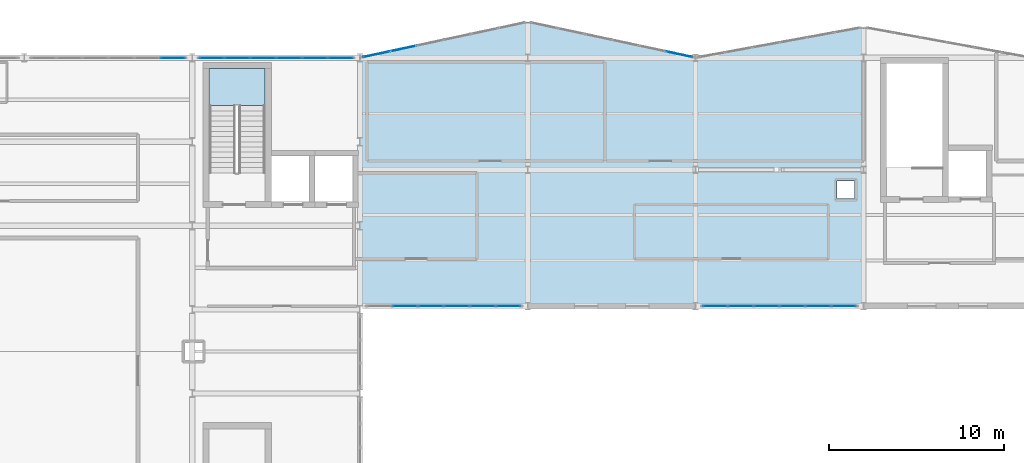
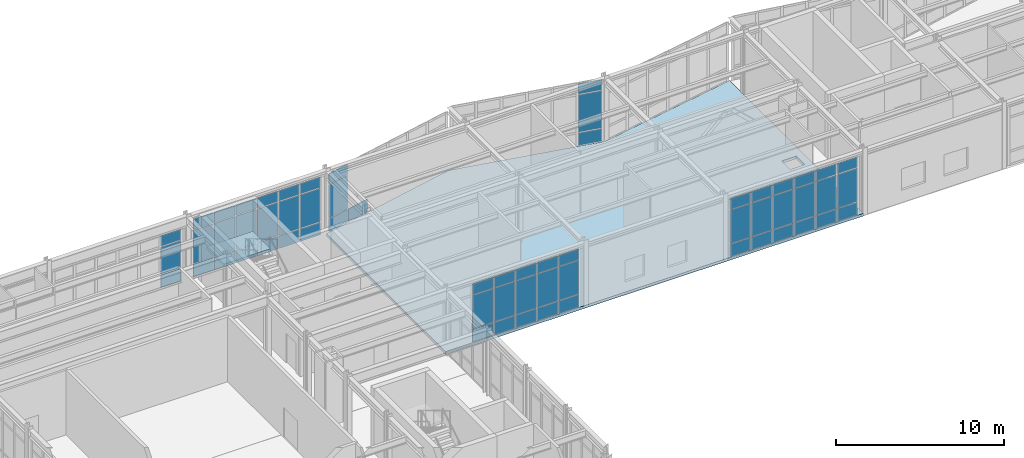
# One storey, part 19 of 28: 61 plates, 2 slabs, 7 elements without a shape of their own.
"""IFC4 building model written with IfcOpenShell, lengths in metres."""

from ifc_helpers import new_model, si_unit, direction, frame, origin, origin_2d, place, context, subcontext, project, spatial, polyline, rectangle, outline, extrude, material, layer, layer_set, type_object, element, aggregate, save


model = new_model("IFC4")

# Units and contexts
model_context = context("Model", 3, precision=1e-05, world=origin(), true_north=direction((0.0, 1.0)))
body_context = subcontext(model_context, "Body", "Model", "MODEL_VIEW")
ifc_project = project(units=[si_unit("LENGTHUNIT", "METRE"), si_unit("AREAUNIT", "SQUARE_METRE"), si_unit("VOLUMEUNIT", "CUBIC_METRE"), si_unit("PLANEANGLEUNIT", "RADIAN"), si_unit("MASSUNIT", "GRAM", prefix="KILO")], contexts=[model_context])

# Site, building, storey
site_placement = place(None, origin())
site = spatial("IfcSite", under=ifc_project, at=site_placement, CompositionType="ELEMENT")
building_placement = place(site_placement, origin())
building = spatial("IfcBuilding", under=site, at=building_placement, Name="Nordkorset Police Headquarters", CompositionType="ELEMENT")
storey_placement = place(building_placement, frame((0.0, 0.0, 26.25)))
storey = spatial("IfcBuildingStorey", under=building, at=storey_placement, Name="L06", CompositionType="ELEMENT", Elevation=26.25)

# Curtain wall, plates
ifc_material_1 = material(Name="Aluminium alloy AW-6060", Category="aluminium")
ifc_layer_1 = layer(ifc_material_1, 0.179931640625, Name="Aluminium alloy AW-6060")
ifc_layer_set_1 = layer_set([ifc_layer_1], Name="Aluminium alloy AW-6060")
curtain_wall_type_1 = type_object("IfcCurtainWallType", Name="CW_Unit_888x389", PredefinedType="USERDEFINED", material=ifc_layer_set_1)
curtain_wall_1_placement = place(storey_placement, origin())
curtain_wall_1 = element("IfcCurtainWall", 1, at=curtain_wall_1_placement, inside=storey, type_object=curtain_wall_type_1, Name="Unitised Curtain Wall L06 V1N-1", ObjectType="UNITISED CURTAIN WALL", PredefinedType="USERDEFINED")
ifc_material_2 = material(Name="Low-iron triple glazing", Category="glass")
ifc_layer_2 = layer(ifc_material_2, 0.035888671875, Name="Low-iron triple glazing")
ifc_layer_set_2 = layer_set([ifc_layer_2], Name="Low-iron triple glazing")
plate_type = type_object("IfcPlateType", Name="CW_Panel_TripleGlazing_36", PredefinedType="CURTAIN_PANEL", material=ifc_layer_set_2)
plate_1_placement = place(storey_placement, frame((18.083740234375, 116.800048828125, 0.06494140625), z_axis=(0.0, 0.0, 1.0), x_axis=(1.0, 0.0, 0.0)))
plate_1 = element("IfcPlate", 2, at=plate_1_placement, type_object=plate_type, Name="CW-76 panel 6.1", PredefinedType="CURTAIN_PANEL", context=body_context, shape_type="SweptSolid", body=[
    extrude(rectangle(XDim=1.382568359375, YDim=0.035888671875, at=origin_2d()), origin(), (0.0, 0.0, 1.0), 0.902587890625),
])
plate_2_placement = place(storey_placement, frame((18.083740234375, 116.800048828125, 1.032470703125), z_axis=(0.0, 0.0, 1.0), x_axis=(1.0, 0.0, 0.0)))
plate_2 = element("IfcPlate", 3, at=plate_2_placement, type_object=plate_type, Name="CW-76 panel 6.2", PredefinedType="CURTAIN_PANEL", context=body_context, shape_type="SweptSolid", body=[
    extrude(rectangle(XDim=1.382568359375, YDim=0.035888671875, at=origin_2d()), origin(), (0.0, 0.0, 1.0), 1.97509765625),
])
plate_3_placement = place(storey_placement, frame((18.083740234375, 116.800048828125, 3.072509765625), z_axis=(0.0, 0.0, 1.0), x_axis=(1.0, 0.0, 0.0)))
plate_3 = element("IfcPlate", 4, at=plate_3_placement, type_object=plate_type, Name="CW-76 panel 6.3", PredefinedType="CURTAIN_PANEL", context=body_context, shape_type="SweptSolid", body=[
    extrude(rectangle(XDim=1.382568359375, YDim=0.035888671875, at=origin_2d()), origin(), (0.0, 0.0, 1.0), 0.75244140625),
])
aggregate(curtain_wall_1, [plate_1, plate_2, plate_3])

ifc_material_3 = material(Name="Aluminium alloy AW-6060", Category="aluminium")
ifc_layer_3 = layer(ifc_material_3, 0.179931640625, Name="Aluminium alloy AW-6060")
ifc_layer_set_3 = layer_set([ifc_layer_3], Name="Aluminium alloy AW-6060")
curtain_wall_type_2 = type_object("IfcCurtainWallType", Name="CW_Unit_888x434", PredefinedType="USERDEFINED", material=ifc_layer_set_3)
curtain_wall_2_placement = place(storey_placement, origin())
curtain_wall_2 = element("IfcCurtainWall", 5, at=curtain_wall_2_placement, inside=storey, type_object=curtain_wall_type_2, Name="Unitised Curtain Wall L06 V1N-2", ObjectType="UNITISED CURTAIN WALL", PredefinedType="USERDEFINED")
plate_4_placement = place(storey_placement, frame((20.316162109375, 116.800048828125, 0.06494140625), z_axis=(0.0, 0.0, 1.0), x_axis=(1.0, 0.0, 0.0)))
plate_4 = element("IfcPlate", 6, at=plate_4_placement, type_object=plate_type, Name="CW-74 panel 1.1", PredefinedType="CURTAIN_PANEL", context=body_context, shape_type="SweptSolid", body=[
    extrude(rectangle(XDim=1.382568359375, YDim=0.035888671875, at=origin_2d()), origin(), (0.0, 0.0, 1.0), 0.902587890625),
])
plate_5_placement = place(storey_placement, frame((20.316162109375, 116.800048828125, 1.032470703125), z_axis=(0.0, 0.0, 1.0), x_axis=(1.0, 0.0, 0.0)))
plate_5 = element("IfcPlate", 7, at=plate_5_placement, type_object=plate_type, Name="CW-74 panel 1.2", PredefinedType="CURTAIN_PANEL", context=body_context, shape_type="SweptSolid", body=[
    extrude(rectangle(XDim=1.382568359375, YDim=0.035888671875, at=origin_2d()), origin(), (0.0, 0.0, 1.0), 2.419921875),
])
plate_6_placement = place(storey_placement, frame((20.316162109375, 116.800048828125, 3.517578125), z_axis=(0.0, 0.0, 1.0), x_axis=(1.0, 0.0, 0.0)))
plate_6 = element("IfcPlate", 8, at=plate_6_placement, type_object=plate_type, Name="CW-74 panel 1.3", PredefinedType="CURTAIN_PANEL", context=body_context, shape_type="SweptSolid", body=[
    extrude(rectangle(XDim=1.382568359375, YDim=0.035888671875, at=origin_2d()), origin(), (0.0, 0.0, 1.0), 0.75244140625),
])
plate_7_placement = place(storey_placement, frame((21.780029296875, 116.800048828125, 0.06494140625), z_axis=(0.0, 0.0, 1.0), x_axis=(1.0, 0.0, 0.0)))
plate_7 = element("IfcPlate", 9, at=plate_7_placement, type_object=plate_type, Name="CW-74 panel 2.1", PredefinedType="CURTAIN_PANEL", context=body_context, shape_type="SweptSolid", body=[
    extrude(rectangle(XDim=1.4150390625, YDim=0.035888671875, at=origin_2d()), origin(), (0.0, 0.0, 1.0), 0.902587890625),
])
plate_8_placement = place(storey_placement, frame((21.780029296875, 116.800048828125, 1.032470703125), z_axis=(0.0, 0.0, 1.0), x_axis=(1.0, 0.0, 0.0)))
plate_8 = element("IfcPlate", 10, at=plate_8_placement, type_object=plate_type, Name="CW-74 panel 2.2", PredefinedType="CURTAIN_PANEL", context=body_context, shape_type="SweptSolid", body=[
    extrude(rectangle(XDim=1.4150390625, YDim=0.035888671875, at=origin_2d()), origin(), (0.0, 0.0, 1.0), 2.419921875),
])
plate_9_placement = place(storey_placement, frame((21.780029296875, 116.800048828125, 3.517578125), z_axis=(0.0, 0.0, 1.0), x_axis=(1.0, 0.0, 0.0)))
plate_9 = element("IfcPlate", 11, at=plate_9_placement, type_object=plate_type, Name="CW-74 panel 2.3", PredefinedType="CURTAIN_PANEL", context=body_context, shape_type="SweptSolid", body=[
    extrude(rectangle(XDim=1.4150390625, YDim=0.035888671875, at=origin_2d()), origin(), (0.0, 0.0, 1.0), 0.75244140625),
])
plate_10_placement = place(storey_placement, frame((23.260009765625, 116.800048828125, 0.06494140625), z_axis=(0.0, 0.0, 1.0), x_axis=(1.0, 0.0, 0.0)))
plate_10 = element("IfcPlate", 12, at=plate_10_placement, type_object=plate_type, Name="CW-74 panel 3.1", PredefinedType="CURTAIN_PANEL", context=body_context, shape_type="SweptSolid", body=[
    extrude(rectangle(XDim=1.4150390625, YDim=0.035888671875, at=origin_2d()), origin(), (0.0, 0.0, 1.0), 0.902587890625),
])
plate_11_placement = place(storey_placement, frame((23.260009765625, 116.800048828125, 1.032470703125), z_axis=(0.0, 0.0, 1.0), x_axis=(1.0, 0.0, 0.0)))
plate_11 = element("IfcPlate", 13, at=plate_11_placement, type_object=plate_type, Name="CW-74 panel 3.2", PredefinedType="CURTAIN_PANEL", context=body_context, shape_type="SweptSolid", body=[
    extrude(rectangle(XDim=1.4150390625, YDim=0.035888671875, at=origin_2d()), origin(), (0.0, 0.0, 1.0), 2.419921875),
])
plate_12_placement = place(storey_placement, frame((23.260009765625, 116.800048828125, 3.517578125), z_axis=(0.0, 0.0, 1.0), x_axis=(1.0, 0.0, 0.0)))
plate_12 = element("IfcPlate", 14, at=plate_12_placement, type_object=plate_type, Name="CW-74 panel 3.3", PredefinedType="CURTAIN_PANEL", context=body_context, shape_type="SweptSolid", body=[
    extrude(rectangle(XDim=1.4150390625, YDim=0.035888671875, at=origin_2d()), origin(), (0.0, 0.0, 1.0), 0.75244140625),
])
plate_13_placement = place(storey_placement, frame((24.739990234375, 116.800048828125, 0.06494140625), z_axis=(0.0, 0.0, 1.0), x_axis=(1.0, 0.0, 0.0)))
plate_13 = element("IfcPlate", 15, at=plate_13_placement, type_object=plate_type, Name="CW-74 panel 4.1", PredefinedType="CURTAIN_PANEL", context=body_context, shape_type="SweptSolid", body=[
    extrude(rectangle(XDim=1.4150390625, YDim=0.035888671875, at=origin_2d()), origin(), (0.0, 0.0, 1.0), 0.902587890625),
])
plate_14_placement = place(storey_placement, frame((24.739990234375, 116.800048828125, 1.032470703125), z_axis=(0.0, 0.0, 1.0), x_axis=(1.0, 0.0, 0.0)))
plate_14 = element("IfcPlate", 16, at=plate_14_placement, type_object=plate_type, Name="CW-74 panel 4.2", PredefinedType="CURTAIN_PANEL", context=body_context, shape_type="SweptSolid", body=[
    extrude(rectangle(XDim=1.4150390625, YDim=0.035888671875, at=origin_2d()), origin(), (0.0, 0.0, 1.0), 2.419921875),
])
plate_15_placement = place(storey_placement, frame((24.739990234375, 116.800048828125, 3.517578125), z_axis=(0.0, 0.0, 1.0), x_axis=(1.0, 0.0, 0.0)))
plate_15 = element("IfcPlate", 17, at=plate_15_placement, type_object=plate_type, Name="CW-74 panel 4.3", PredefinedType="CURTAIN_PANEL", context=body_context, shape_type="SweptSolid", body=[
    extrude(rectangle(XDim=1.4150390625, YDim=0.035888671875, at=origin_2d()), origin(), (0.0, 0.0, 1.0), 0.75244140625),
])
plate_16_placement = place(storey_placement, frame((26.219970703125, 116.800048828125, 0.06494140625), z_axis=(0.0, 0.0, 1.0), x_axis=(1.0, 0.0, 0.0)))
plate_16 = element("IfcPlate", 18, at=plate_16_placement, type_object=plate_type, Name="CW-74 panel 5.1", PredefinedType="CURTAIN_PANEL", context=body_context, shape_type="SweptSolid", body=[
    extrude(rectangle(XDim=1.4150390625, YDim=0.035888671875, at=origin_2d()), origin(), (0.0, 0.0, 1.0), 0.902587890625),
])
plate_17_placement = place(storey_placement, frame((26.219970703125, 116.800048828125, 1.032470703125), z_axis=(0.0, 0.0, 1.0), x_axis=(1.0, 0.0, 0.0)))
plate_17 = element("IfcPlate", 19, at=plate_17_placement, type_object=plate_type, Name="CW-74 panel 5.2", PredefinedType="CURTAIN_PANEL", context=body_context, shape_type="SweptSolid", body=[
    extrude(rectangle(XDim=1.4150390625, YDim=0.035888671875, at=origin_2d()), origin(), (0.0, 0.0, 1.0), 2.419921875),
])
plate_18_placement = place(storey_placement, frame((26.219970703125, 116.800048828125, 3.517578125), z_axis=(0.0, 0.0, 1.0), x_axis=(1.0, 0.0, 0.0)))
plate_18 = element("IfcPlate", 20, at=plate_18_placement, type_object=plate_type, Name="CW-74 panel 5.3", PredefinedType="CURTAIN_PANEL", context=body_context, shape_type="SweptSolid", body=[
    extrude(rectangle(XDim=1.4150390625, YDim=0.035888671875, at=origin_2d()), origin(), (0.0, 0.0, 1.0), 0.75244140625),
])
plate_19_placement = place(storey_placement, frame((27.683837890625, 116.800048828125, 0.06494140625), z_axis=(0.0, 0.0, 1.0), x_axis=(1.0, 0.0, 0.0)))
plate_19 = element("IfcPlate", 21, at=plate_19_placement, type_object=plate_type, Name="CW-74 panel 6.1", PredefinedType="CURTAIN_PANEL", context=body_context, shape_type="SweptSolid", body=[
    extrude(rectangle(XDim=1.382568359375, YDim=0.035888671875, at=origin_2d()), origin(), (0.0, 0.0, 1.0), 0.902587890625),
])
plate_20_placement = place(storey_placement, frame((27.683837890625, 116.800048828125, 1.032470703125), z_axis=(0.0, 0.0, 1.0), x_axis=(1.0, 0.0, 0.0)))
plate_20 = element("IfcPlate", 22, at=plate_20_placement, type_object=plate_type, Name="CW-74 panel 6.2", PredefinedType="CURTAIN_PANEL", context=body_context, shape_type="SweptSolid", body=[
    extrude(rectangle(XDim=1.382568359375, YDim=0.035888671875, at=origin_2d()), origin(), (0.0, 0.0, 1.0), 2.419921875),
])
plate_21_placement = place(storey_placement, frame((27.683837890625, 116.800048828125, 3.517578125), z_axis=(0.0, 0.0, 1.0), x_axis=(1.0, 0.0, 0.0)))
plate_21 = element("IfcPlate", 23, at=plate_21_placement, type_object=plate_type, Name="CW-74 panel 6.3", PredefinedType="CURTAIN_PANEL", context=body_context, shape_type="SweptSolid", body=[
    extrude(rectangle(XDim=1.382568359375, YDim=0.035888671875, at=origin_2d()), origin(), (0.0, 0.0, 1.0), 0.75244140625),
])
aggregate(curtain_wall_2, [plate_4, plate_5, plate_6, plate_7, plate_8, plate_9, plate_10, plate_11, plate_12, plate_13, plate_14, plate_15, plate_16, plate_17, plate_18, plate_19, plate_20, plate_21])

ifc_material_4 = material(Name="Aluminium alloy AW-6060", Category="aluminium")
ifc_layer_4 = layer(ifc_material_4, 0.179931640625, Name="Aluminium alloy AW-6060")
ifc_layer_set_4 = layer_set([ifc_layer_4], Name="Aluminium alloy AW-6060")
curtain_wall_type_3 = type_object("IfcCurtainWallType", Name="CW_Unit_954x434", PredefinedType="USERDEFINED", material=ifc_layer_set_4)
curtain_wall_3_placement = place(storey_placement, origin())
curtain_wall_3 = element("IfcCurtainWall", 24, at=curtain_wall_3_placement, inside=storey, type_object=curtain_wall_type_3, Name="Unitised Curtain Wall L06 V2N-0", ObjectType="UNITISED CURTAIN WALL", PredefinedType="USERDEFINED")
plate_22_placement = place(storey_placement, frame((29.72998046875, 116.99853515625, 0.06494140625), z_axis=(0.0, 0.0, 1.0), x_axis=(0.977951416289, 0.208832534289, 0.0)))
plate_22 = element("IfcPlate", 25, at=plate_22_placement, type_object=plate_type, Name="CW-77 panel 1.1", PredefinedType="CURTAIN_PANEL", context=body_context, shape_type="SweptSolid", body=[
    extrude(rectangle(XDim=1.491943359375, YDim=0.035888671875, at=origin_2d()), origin(), (0.0, 0.0, 1.0), 0.902587890625),
])
plate_23_placement = place(storey_placement, frame((29.72998046875, 116.99853515625, 1.032470703125), z_axis=(0.0, 0.0, 1.0), x_axis=(0.977951416289, 0.208832534289, 0.0)))
plate_23 = element("IfcPlate", 26, at=plate_23_placement, type_object=plate_type, Name="CW-77 panel 1.2", PredefinedType="CURTAIN_PANEL", context=body_context, shape_type="SweptSolid", body=[
    extrude(rectangle(XDim=1.491943359375, YDim=0.035888671875, at=origin_2d()), origin(), (0.0, 0.0, 1.0), 2.419921875),
])
plate_24_placement = place(storey_placement, frame((29.72998046875, 116.99853515625, 3.517578125), z_axis=(0.0, 0.0, 1.0), x_axis=(0.977951416289, 0.208832534289, 0.0)))
plate_24 = element("IfcPlate", 27, at=plate_24_placement, type_object=plate_type, Name="CW-77 panel 1.3", PredefinedType="CURTAIN_PANEL", context=body_context, shape_type="SweptSolid", body=[
    extrude(rectangle(XDim=1.491943359375, YDim=0.035888671875, at=origin_2d()), origin(), (0.0, 0.0, 1.0), 0.75244140625),
])
plate_25_placement = place(storey_placement, frame((31.2685546875, 117.3271484375, 0.06494140625), z_axis=(0.0, 0.0, 1.0), x_axis=(0.977951416289, 0.208832534289, 0.0)))
plate_25 = element("IfcPlate", 28, at=plate_25_placement, type_object=plate_type, Name="CW-77 panel 2.1", PredefinedType="CURTAIN_PANEL", context=body_context, shape_type="SweptSolid", body=[
    extrude(rectangle(XDim=1.5244140625, YDim=0.035888671875, at=origin_2d()), origin(), (0.0, 0.0, 1.0), 0.902587890625),
])
aggregate(curtain_wall_3, [plate_22, plate_23, plate_24, plate_25])

curtain_wall_4_placement = place(storey_placement, origin())
curtain_wall_4 = element("IfcCurtainWall", 29, at=curtain_wall_4_placement, inside=storey, type_object=curtain_wall_type_2, Name="Unitised Curtain Wall L06 V2S-0", ObjectType="UNITISED CURTAIN WALL", PredefinedType="USERDEFINED")
plate_26_placement = place(storey_placement, frame((31.3798828125, 102.60009765625, 0.06494140625), z_axis=(0.0, 0.0, 1.0), x_axis=(1.0, 0.0, 0.0)))
plate_26 = element("IfcPlate", 30, at=plate_26_placement, type_object=plate_type, Name="CW-74 panel 2.1", PredefinedType="CURTAIN_PANEL", context=body_context, shape_type="SweptSolid", body=[
    extrude(rectangle(XDim=1.4150390625, YDim=0.035888671875, at=origin_2d()), origin(), (0.0, 0.0, 1.0), 0.902587890625),
])
plate_27_placement = place(storey_placement, frame((31.3798828125, 102.60009765625, 1.032470703125), z_axis=(0.0, 0.0, 1.0), x_axis=(1.0, 0.0, 0.0)))
plate_27 = element("IfcPlate", 31, at=plate_27_placement, type_object=plate_type, Name="CW-74 panel 2.2", PredefinedType="CURTAIN_PANEL", context=body_context, shape_type="SweptSolid", body=[
    extrude(rectangle(XDim=1.4150390625, YDim=0.035888671875, at=origin_2d()), origin(), (0.0, 0.0, 1.0), 2.419921875),
])
plate_28_placement = place(storey_placement, frame((31.3798828125, 102.60009765625, 3.517578125), z_axis=(0.0, 0.0, 1.0), x_axis=(1.0, 0.0, 0.0)))
plate_28 = element("IfcPlate", 32, at=plate_28_placement, type_object=plate_type, Name="CW-74 panel 2.3", PredefinedType="CURTAIN_PANEL", context=body_context, shape_type="SweptSolid", body=[
    extrude(rectangle(XDim=1.4150390625, YDim=0.035888671875, at=origin_2d()), origin(), (0.0, 0.0, 1.0), 0.75244140625),
])
plate_29_placement = place(storey_placement, frame((32.860107421875, 102.60009765625, 0.06494140625), z_axis=(0.0, 0.0, 1.0), x_axis=(1.0, 0.0, 0.0)))
plate_29 = element("IfcPlate", 33, at=plate_29_placement, type_object=plate_type, Name="CW-74 panel 3.1", PredefinedType="CURTAIN_PANEL", context=body_context, shape_type="SweptSolid", body=[
    extrude(rectangle(XDim=1.4150390625, YDim=0.035888671875, at=origin_2d()), origin(), (0.0, 0.0, 1.0), 0.902587890625),
])
plate_30_placement = place(storey_placement, frame((32.860107421875, 102.60009765625, 1.032470703125), z_axis=(0.0, 0.0, 1.0), x_axis=(1.0, 0.0, 0.0)))
plate_30 = element("IfcPlate", 34, at=plate_30_placement, type_object=plate_type, Name="CW-74 panel 3.2", PredefinedType="CURTAIN_PANEL", context=body_context, shape_type="SweptSolid", body=[
    extrude(rectangle(XDim=1.4150390625, YDim=0.035888671875, at=origin_2d()), origin(), (0.0, 0.0, 1.0), 2.419921875),
])
plate_31_placement = place(storey_placement, frame((32.860107421875, 102.60009765625, 3.517578125), z_axis=(0.0, 0.0, 1.0), x_axis=(1.0, 0.0, 0.0)))
plate_31 = element("IfcPlate", 35, at=plate_31_placement, type_object=plate_type, Name="CW-74 panel 3.3", PredefinedType="CURTAIN_PANEL", context=body_context, shape_type="SweptSolid", body=[
    extrude(rectangle(XDim=1.4150390625, YDim=0.035888671875, at=origin_2d()), origin(), (0.0, 0.0, 1.0), 0.75244140625),
])
plate_32_placement = place(storey_placement, frame((34.340087890625, 102.60009765625, 0.06494140625), z_axis=(0.0, 0.0, 1.0), x_axis=(1.0, 0.0, 0.0)))
plate_32 = element("IfcPlate", 36, at=plate_32_placement, type_object=plate_type, Name="CW-74 panel 4.1", PredefinedType="CURTAIN_PANEL", context=body_context, shape_type="SweptSolid", body=[
    extrude(rectangle(XDim=1.4150390625, YDim=0.035888671875, at=origin_2d()), origin(), (0.0, 0.0, 1.0), 0.902587890625),
])
plate_33_placement = place(storey_placement, frame((34.340087890625, 102.60009765625, 1.032470703125), z_axis=(0.0, 0.0, 1.0), x_axis=(1.0, 0.0, 0.0)))
plate_33 = element("IfcPlate", 37, at=plate_33_placement, type_object=plate_type, Name="CW-74 panel 4.2", PredefinedType="CURTAIN_PANEL", context=body_context, shape_type="SweptSolid", body=[
    extrude(rectangle(XDim=1.4150390625, YDim=0.035888671875, at=origin_2d()), origin(), (0.0, 0.0, 1.0), 2.419921875),
])
plate_34_placement = place(storey_placement, frame((34.340087890625, 102.60009765625, 3.517578125), z_axis=(0.0, 0.0, 1.0), x_axis=(1.0, 0.0, 0.0)))
plate_34 = element("IfcPlate", 38, at=plate_34_placement, type_object=plate_type, Name="CW-74 panel 4.3", PredefinedType="CURTAIN_PANEL", context=body_context, shape_type="SweptSolid", body=[
    extrude(rectangle(XDim=1.4150390625, YDim=0.035888671875, at=origin_2d()), origin(), (0.0, 0.0, 1.0), 0.75244140625),
])
plate_35_placement = place(storey_placement, frame((35.820068359375, 102.60009765625, 0.06494140625), z_axis=(0.0, 0.0, 1.0), x_axis=(1.0, 0.0, 0.0)))
plate_35 = element("IfcPlate", 39, at=plate_35_placement, type_object=plate_type, Name="CW-74 panel 5.1", PredefinedType="CURTAIN_PANEL", context=body_context, shape_type="SweptSolid", body=[
    extrude(rectangle(XDim=1.4150390625, YDim=0.035888671875, at=origin_2d()), origin(), (0.0, 0.0, 1.0), 0.902587890625),
])
plate_36_placement = place(storey_placement, frame((35.820068359375, 102.60009765625, 1.032470703125), z_axis=(0.0, 0.0, 1.0), x_axis=(1.0, 0.0, 0.0)))
plate_36 = element("IfcPlate", 40, at=plate_36_placement, type_object=plate_type, Name="CW-74 panel 5.2", PredefinedType="CURTAIN_PANEL", context=body_context, shape_type="SweptSolid", body=[
    extrude(rectangle(XDim=1.4150390625, YDim=0.035888671875, at=origin_2d()), origin(), (0.0, 0.0, 1.0), 2.419921875),
])
plate_37_placement = place(storey_placement, frame((35.820068359375, 102.60009765625, 3.517578125), z_axis=(0.0, 0.0, 1.0), x_axis=(1.0, 0.0, 0.0)))
plate_37 = element("IfcPlate", 41, at=plate_37_placement, type_object=plate_type, Name="CW-74 panel 5.3", PredefinedType="CURTAIN_PANEL", context=body_context, shape_type="SweptSolid", body=[
    extrude(rectangle(XDim=1.4150390625, YDim=0.035888671875, at=origin_2d()), origin(), (0.0, 0.0, 1.0), 0.75244140625),
])
plate_38_placement = place(storey_placement, frame((37.28369140625, 102.60009765625, 0.06494140625), z_axis=(0.0, 0.0, 1.0), x_axis=(1.0, 0.0, 0.0)))
plate_38 = element("IfcPlate", 42, at=plate_38_placement, type_object=plate_type, Name="CW-74 panel 6.1", PredefinedType="CURTAIN_PANEL", context=body_context, shape_type="SweptSolid", body=[
    extrude(rectangle(XDim=1.382568359375, YDim=0.035888671875, at=origin_2d()), origin(), (0.0, 0.0, 1.0), 0.902587890625),
])
plate_39_placement = place(storey_placement, frame((37.28369140625, 102.60009765625, 1.032470703125), z_axis=(0.0, 0.0, 1.0), x_axis=(1.0, 0.0, 0.0)))
plate_39 = element("IfcPlate", 43, at=plate_39_placement, type_object=plate_type, Name="CW-74 panel 6.2", PredefinedType="CURTAIN_PANEL", context=body_context, shape_type="SweptSolid", body=[
    extrude(rectangle(XDim=1.382568359375, YDim=0.035888671875, at=origin_2d()), origin(), (0.0, 0.0, 1.0), 2.419921875),
])
plate_40_placement = place(storey_placement, frame((37.28369140625, 102.60009765625, 3.517578125), z_axis=(0.0, 0.0, 1.0), x_axis=(1.0, 0.0, 0.0)))
plate_40 = element("IfcPlate", 44, at=plate_40_placement, type_object=plate_type, Name="CW-74 panel 6.3", PredefinedType="CURTAIN_PANEL", context=body_context, shape_type="SweptSolid", body=[
    extrude(rectangle(XDim=1.382568359375, YDim=0.035888671875, at=origin_2d()), origin(), (0.0, 0.0, 1.0), 0.75244140625),
])
aggregate(curtain_wall_4, [plate_26, plate_27, plate_28, plate_29, plate_30, plate_31, plate_32, plate_33, plate_34, plate_35, plate_36, plate_37, plate_38, plate_39, plate_40])

ifc_material_5 = material(Name="Aluminium alloy AW-6060", Category="aluminium")
ifc_layer_5 = layer(ifc_material_5, 0.179931640625, Name="Aluminium alloy AW-6060")
ifc_layer_set_5 = layer_set([ifc_layer_5], Name="Aluminium alloy AW-6060")
curtain_wall_type_4 = type_object("IfcCurtainWallType", Name="CW_Unit_954x462", PredefinedType="USERDEFINED", material=ifc_layer_set_5)
curtain_wall_5_placement = place(storey_placement, origin())
curtain_wall_5 = element("IfcCurtainWall", 45, at=curtain_wall_5_placement, inside=storey, type_object=curtain_wall_type_4, Name="Unitised Curtain Wall L06 V2N-1", ObjectType="UNITISED CURTAIN WALL", PredefinedType="USERDEFINED")
plate_41_placement = place(storey_placement, frame((47.070068359375, 116.99853515625, 0.06494140625), z_axis=(0.0, 0.0, 1.0), x_axis=(0.977951416289, -0.208832534289, 0.0)))
plate_41 = element("IfcPlate", 46, at=plate_41_placement, type_object=plate_type, Name="CW-88 panel 6.1", PredefinedType="CURTAIN_PANEL", context=body_context, shape_type="SweptSolid", body=[
    extrude(rectangle(XDim=1.491943359375, YDim=0.035888671875, at=origin_2d()), origin(), (0.0, 0.0, 1.0), 0.902587890625),
])
plate_42_placement = place(storey_placement, frame((47.070068359375, 116.99853515625, 1.032470703125), z_axis=(0.0, 0.0, 1.0), x_axis=(0.977951416289, -0.208832534289, 0.0)))
plate_42 = element("IfcPlate", 47, at=plate_42_placement, type_object=plate_type, Name="CW-88 panel 6.2", PredefinedType="CURTAIN_PANEL", context=body_context, shape_type="SweptSolid", body=[
    extrude(rectangle(XDim=1.491943359375, YDim=0.035888671875, at=origin_2d()), origin(), (0.0, 0.0, 1.0), 2.705078125),
])
plate_43_placement = place(storey_placement, frame((47.070068359375, 116.99853515625, 3.802490234375), z_axis=(0.0, 0.0, 1.0), x_axis=(0.977951416289, -0.208832534289, 0.0)))
plate_43 = element("IfcPlate", 48, at=plate_43_placement, type_object=plate_type, Name="CW-88 panel 6.3", PredefinedType="CURTAIN_PANEL", context=body_context, shape_type="SweptSolid", body=[
    extrude(rectangle(XDim=1.491943359375, YDim=0.035888671875, at=origin_2d()), origin(), (0.0, 0.0, 1.0), 0.75244140625),
])
aggregate(curtain_wall_5, [plate_41, plate_42, plate_43])

curtain_wall_6_placement = place(storey_placement, origin())
curtain_wall_6 = element("IfcCurtainWall", 49, at=curtain_wall_6_placement, inside=storey, type_object=curtain_wall_type_2, Name="Unitised Curtain Wall L06 V2S-2", ObjectType="UNITISED CURTAIN WALL", PredefinedType="USERDEFINED")
plate_44_placement = place(storey_placement, frame((49.1162109375, 102.60009765625, 0.06494140625), z_axis=(0.0, 0.0, 1.0), x_axis=(1.0, 0.0, 0.0)))
plate_44 = element("IfcPlate", 50, at=plate_44_placement, type_object=plate_type, Name="CW-74 panel 1.1", PredefinedType="CURTAIN_PANEL", context=body_context, shape_type="SweptSolid", body=[
    extrude(rectangle(XDim=1.382568359375, YDim=0.035888671875, at=origin_2d()), origin(), (0.0, 0.0, 1.0), 0.902587890625),
])
plate_45_placement = place(storey_placement, frame((49.1162109375, 102.60009765625, 1.032470703125), z_axis=(0.0, 0.0, 1.0), x_axis=(1.0, 0.0, 0.0)))
plate_45 = element("IfcPlate", 51, at=plate_45_placement, type_object=plate_type, Name="CW-74 panel 1.2", PredefinedType="CURTAIN_PANEL", context=body_context, shape_type="SweptSolid", body=[
    extrude(rectangle(XDim=1.382568359375, YDim=0.035888671875, at=origin_2d()), origin(), (0.0, 0.0, 1.0), 2.419921875),
])
plate_46_placement = place(storey_placement, frame((49.1162109375, 102.60009765625, 3.517578125), z_axis=(0.0, 0.0, 1.0), x_axis=(1.0, 0.0, 0.0)))
plate_46 = element("IfcPlate", 52, at=plate_46_placement, type_object=plate_type, Name="CW-74 panel 1.3", PredefinedType="CURTAIN_PANEL", context=body_context, shape_type="SweptSolid", body=[
    extrude(rectangle(XDim=1.382568359375, YDim=0.035888671875, at=origin_2d()), origin(), (0.0, 0.0, 1.0), 0.75244140625),
])
plate_47_placement = place(storey_placement, frame((50.580078125, 102.60009765625, 0.06494140625), z_axis=(0.0, 0.0, 1.0), x_axis=(1.0, 0.0, 0.0)))
plate_47 = element("IfcPlate", 53, at=plate_47_placement, type_object=plate_type, Name="CW-74 panel 2.1", PredefinedType="CURTAIN_PANEL", context=body_context, shape_type="SweptSolid", body=[
    extrude(rectangle(XDim=1.4150390625, YDim=0.035888671875, at=origin_2d()), origin(), (0.0, 0.0, 1.0), 0.902587890625),
])
plate_48_placement = place(storey_placement, frame((50.580078125, 102.60009765625, 1.032470703125), z_axis=(0.0, 0.0, 1.0), x_axis=(1.0, 0.0, 0.0)))
plate_48 = element("IfcPlate", 54, at=plate_48_placement, type_object=plate_type, Name="CW-74 panel 2.2", PredefinedType="CURTAIN_PANEL", context=body_context, shape_type="SweptSolid", body=[
    extrude(rectangle(XDim=1.4150390625, YDim=0.035888671875, at=origin_2d()), origin(), (0.0, 0.0, 1.0), 2.419921875),
])
plate_49_placement = place(storey_placement, frame((50.580078125, 102.60009765625, 3.517578125), z_axis=(0.0, 0.0, 1.0), x_axis=(1.0, 0.0, 0.0)))
plate_49 = element("IfcPlate", 55, at=plate_49_placement, type_object=plate_type, Name="CW-74 panel 2.3", PredefinedType="CURTAIN_PANEL", context=body_context, shape_type="SweptSolid", body=[
    extrude(rectangle(XDim=1.4150390625, YDim=0.035888671875, at=origin_2d()), origin(), (0.0, 0.0, 1.0), 0.75244140625),
])
plate_50_placement = place(storey_placement, frame((52.06005859375, 102.60009765625, 0.06494140625), z_axis=(0.0, 0.0, 1.0), x_axis=(1.0, 0.0, 0.0)))
plate_50 = element("IfcPlate", 56, at=plate_50_placement, type_object=plate_type, Name="CW-74 panel 3.1", PredefinedType="CURTAIN_PANEL", context=body_context, shape_type="SweptSolid", body=[
    extrude(rectangle(XDim=1.4150390625, YDim=0.035888671875, at=origin_2d()), origin(), (0.0, 0.0, 1.0), 0.902587890625),
])
plate_51_placement = place(storey_placement, frame((52.06005859375, 102.60009765625, 1.032470703125), z_axis=(0.0, 0.0, 1.0), x_axis=(1.0, 0.0, 0.0)))
plate_51 = element("IfcPlate", 57, at=plate_51_placement, type_object=plate_type, Name="CW-74 panel 3.2", PredefinedType="CURTAIN_PANEL", context=body_context, shape_type="SweptSolid", body=[
    extrude(rectangle(XDim=1.4150390625, YDim=0.035888671875, at=origin_2d()), origin(), (0.0, 0.0, 1.0), 2.419921875),
])
plate_52_placement = place(storey_placement, frame((52.06005859375, 102.60009765625, 3.517578125), z_axis=(0.0, 0.0, 1.0), x_axis=(1.0, 0.0, 0.0)))
plate_52 = element("IfcPlate", 58, at=plate_52_placement, type_object=plate_type, Name="CW-74 panel 3.3", PredefinedType="CURTAIN_PANEL", context=body_context, shape_type="SweptSolid", body=[
    extrude(rectangle(XDim=1.4150390625, YDim=0.035888671875, at=origin_2d()), origin(), (0.0, 0.0, 1.0), 0.75244140625),
])
plate_53_placement = place(storey_placement, frame((53.5400390625, 102.60009765625, 0.06494140625), z_axis=(0.0, 0.0, 1.0), x_axis=(1.0, 0.0, 0.0)))
plate_53 = element("IfcPlate", 59, at=plate_53_placement, type_object=plate_type, Name="CW-74 panel 4.1", PredefinedType="CURTAIN_PANEL", context=body_context, shape_type="SweptSolid", body=[
    extrude(rectangle(XDim=1.4150390625, YDim=0.035888671875, at=origin_2d()), origin(), (0.0, 0.0, 1.0), 0.902587890625),
])
plate_54_placement = place(storey_placement, frame((53.5400390625, 102.60009765625, 1.032470703125), z_axis=(0.0, 0.0, 1.0), x_axis=(1.0, 0.0, 0.0)))
plate_54 = element("IfcPlate", 60, at=plate_54_placement, type_object=plate_type, Name="CW-74 panel 4.2", PredefinedType="CURTAIN_PANEL", context=body_context, shape_type="SweptSolid", body=[
    extrude(rectangle(XDim=1.4150390625, YDim=0.035888671875, at=origin_2d()), origin(), (0.0, 0.0, 1.0), 2.419921875),
])
plate_55_placement = place(storey_placement, frame((53.5400390625, 102.60009765625, 3.517578125), z_axis=(0.0, 0.0, 1.0), x_axis=(1.0, 0.0, 0.0)))
plate_55 = element("IfcPlate", 61, at=plate_55_placement, type_object=plate_type, Name="CW-74 panel 4.3", PredefinedType="CURTAIN_PANEL", context=body_context, shape_type="SweptSolid", body=[
    extrude(rectangle(XDim=1.4150390625, YDim=0.035888671875, at=origin_2d()), origin(), (0.0, 0.0, 1.0), 0.75244140625),
])
plate_56_placement = place(storey_placement, frame((55.02001953125, 102.60009765625, 0.06494140625), z_axis=(0.0, 0.0, 1.0), x_axis=(1.0, 0.0, 0.0)))
plate_56 = element("IfcPlate", 62, at=plate_56_placement, type_object=plate_type, Name="CW-74 panel 5.1", PredefinedType="CURTAIN_PANEL", context=body_context, shape_type="SweptSolid", body=[
    extrude(rectangle(XDim=1.4150390625, YDim=0.035888671875, at=origin_2d()), origin(), (0.0, 0.0, 1.0), 0.902587890625),
])
plate_57_placement = place(storey_placement, frame((55.02001953125, 102.60009765625, 1.032470703125), z_axis=(0.0, 0.0, 1.0), x_axis=(1.0, 0.0, 0.0)))
plate_57 = element("IfcPlate", 63, at=plate_57_placement, type_object=plate_type, Name="CW-74 panel 5.2", PredefinedType="CURTAIN_PANEL", context=body_context, shape_type="SweptSolid", body=[
    extrude(rectangle(XDim=1.4150390625, YDim=0.035888671875, at=origin_2d()), origin(), (0.0, 0.0, 1.0), 2.419921875),
])
plate_58_placement = place(storey_placement, frame((55.02001953125, 102.60009765625, 3.517578125), z_axis=(0.0, 0.0, 1.0), x_axis=(1.0, 0.0, 0.0)))
plate_58 = element("IfcPlate", 64, at=plate_58_placement, type_object=plate_type, Name="CW-74 panel 5.3", PredefinedType="CURTAIN_PANEL", context=body_context, shape_type="SweptSolid", body=[
    extrude(rectangle(XDim=1.4150390625, YDim=0.035888671875, at=origin_2d()), origin(), (0.0, 0.0, 1.0), 0.75244140625),
])
plate_59_placement = place(storey_placement, frame((56.483642578125, 102.60009765625, 0.06494140625), z_axis=(0.0, 0.0, 1.0), x_axis=(1.0, 0.0, 0.0)))
plate_59 = element("IfcPlate", 65, at=plate_59_placement, type_object=plate_type, Name="CW-74 panel 6.1", PredefinedType="CURTAIN_PANEL", context=body_context, shape_type="SweptSolid", body=[
    extrude(rectangle(XDim=1.382568359375, YDim=0.035888671875, at=origin_2d()), origin(), (0.0, 0.0, 1.0), 0.902587890625),
])
plate_60_placement = place(storey_placement, frame((56.483642578125, 102.60009765625, 1.032470703125), z_axis=(0.0, 0.0, 1.0), x_axis=(1.0, 0.0, 0.0)))
plate_60 = element("IfcPlate", 66, at=plate_60_placement, type_object=plate_type, Name="CW-74 panel 6.2", PredefinedType="CURTAIN_PANEL", context=body_context, shape_type="SweptSolid", body=[
    extrude(rectangle(XDim=1.382568359375, YDim=0.035888671875, at=origin_2d()), origin(), (0.0, 0.0, 1.0), 2.419921875),
])
plate_61_placement = place(storey_placement, frame((56.483642578125, 102.60009765625, 3.517578125), z_axis=(0.0, 0.0, 1.0), x_axis=(1.0, 0.0, 0.0)))
plate_61 = element("IfcPlate", 67, at=plate_61_placement, type_object=plate_type, Name="CW-74 panel 6.3", PredefinedType="CURTAIN_PANEL", context=body_context, shape_type="SweptSolid", body=[
    extrude(rectangle(XDim=1.382568359375, YDim=0.035888671875, at=origin_2d()), origin(), (0.0, 0.0, 1.0), 0.75244140625),
])
aggregate(curtain_wall_6, [plate_44, plate_45, plate_46, plate_47, plate_48, plate_49, plate_50, plate_51, plate_52, plate_53, plate_54, plate_55, plate_56, plate_57, plate_58, plate_59, plate_60, plate_61])

# Stair, slab
ifc_material_6 = material(Name="Concrete C35/45", Category="concrete")
stair_type = type_object("IfcStairType", Name="ST-49", PredefinedType="HALF_TURN_STAIR", material=ifc_material_6)
stair_placement = place(storey_placement, origin())
stair = element("IfcStair", 68, at=stair_placement, inside=storey, type_object=stair_type, Name="L06 Protected Escape Stair ST-01", PredefinedType="HALF_TURN_STAIR")
ifc_material_7 = material(Name="Concrete C35/45", Category="concrete")
ifc_layer_6 = layer(ifc_material_7, 0.199951171875, Name="Concrete C35/45")
ifc_layer_set_6 = layer_set([ifc_layer_6], Name="Concrete C35/45")
slab_type_1 = type_object("IfcSlabType", Name="Slab_StairLanding_200", PredefinedType="LANDING", material=ifc_layer_set_6)
slab_1_placement = place(storey_placement, frame((0.0, 0.0, 2.25)))
slab_1 = element("IfcSlab", 69, at=slab_1_placement, type_object=slab_type_1, Name="ST-01 landing 1", PredefinedType="LANDING", context=body_context, shape_type="SweptSolid", body=[
    extrude(outline(polyline([(23.375, 114.06005859375), (23.375, 116.175048828125), (20.175048828125, 116.175048828125), (20.175048828125, 114.06005859375), (23.375, 114.06005859375)])), origin(), (0.0, 0.0, 1.0), 0.199951171875),
])
aggregate(stair, [slab_1])

# Slab
ifc_material_8 = material(Name="Concrete C35/45", Category="concrete")
ifc_layer_7 = layer(ifc_material_8, 0.199951171875, Name="Concrete C35/45")
ifc_layer_set_7 = layer_set([ifc_layer_7], Name="Concrete C35/45")
slab_type_2 = type_object("IfcSlabType", Name="Slab_Upper_200", PredefinedType="FLOOR", material=ifc_layer_set_7)
slab_2_placement = place(storey_placement, frame((0.0, 0.0, -0.199951171875)))
element("IfcSlab", 70, at=slab_2_placement, inside=storey, type_object=slab_type_2, Name="Composite Floor Slab V2 West L06", PredefinedType="FLOOR", context=body_context, shape_type="SweptSolid", body=[
    extrude(outline(polyline([(28.802001953125, 116.800048828125), (38.39990234375, 118.85009765625), (48.0, 116.800048828125), (57.60009765625, 118.550048828125), (57.60009765625, 102.60009765625), (28.802001953125, 102.60009765625), (28.802001953125, 116.800048828125)]), holes=[polyline([(57.10009765625, 109.75), (56.10009765625, 109.75), (56.10009765625, 108.75), (57.10009765625, 108.75), (57.10009765625, 109.75)])]), origin(), (0.0, 0.0, 1.0), 0.199951171875),
])

save(model, "model.ifc")
